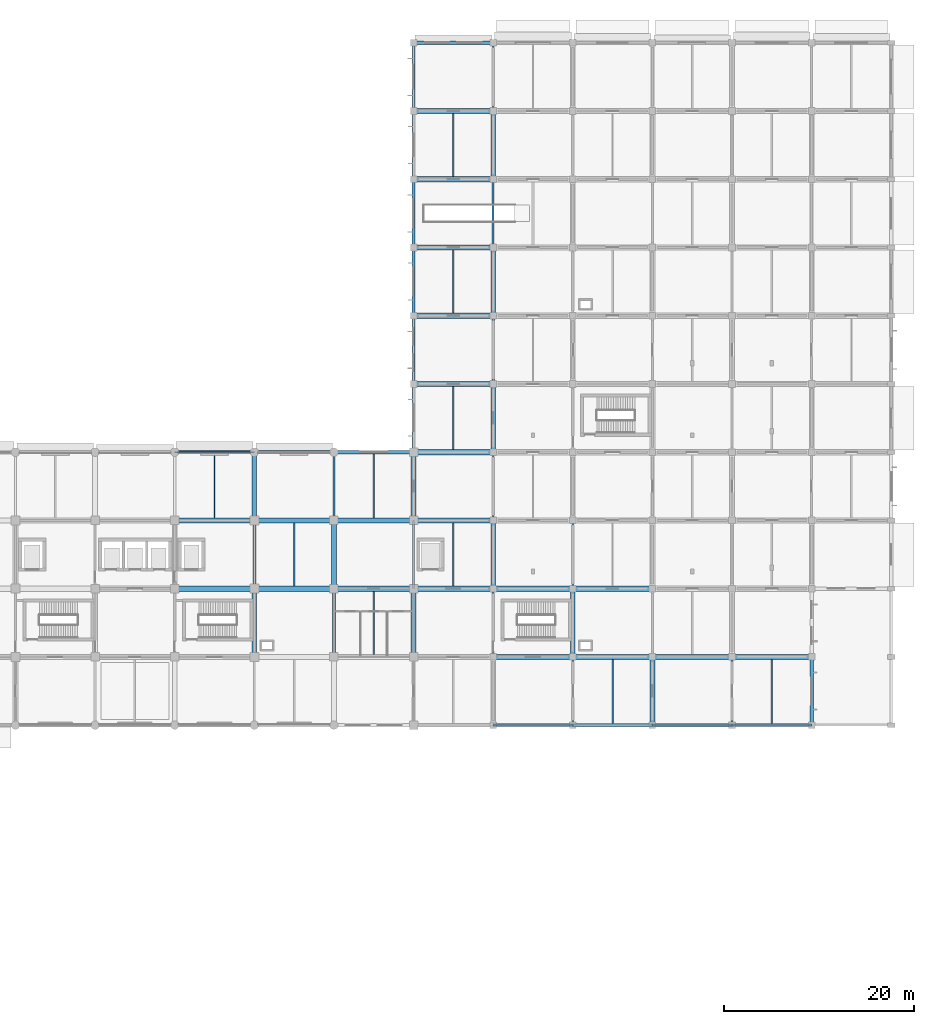
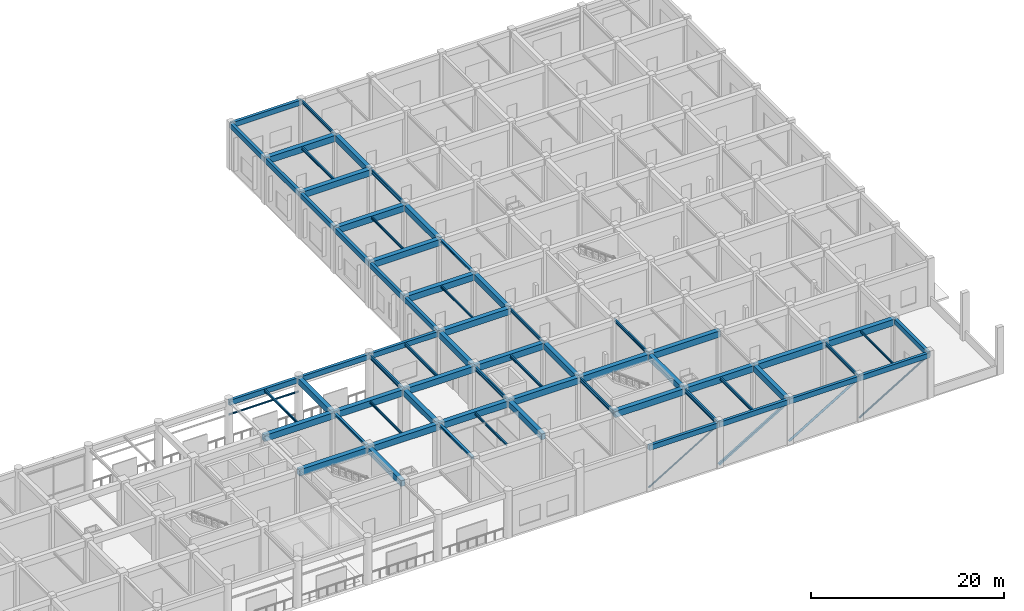
# One storey, part 8 of 39: 69 beams, 4 members.
"""IFC4 building model written with IfcOpenShell, lengths in metres."""

from ifc_helpers import new_model, si_unit, derived_unit, direction, frame, origin, origin_2d, place, context, subcontext, project, spatial, rectangle, hollow_rectangle, hollow_circle, i_section, extrude, material, material_profile, profile_set, type_object, element, save


model = new_model("IFC4")

# Units and contexts
model_context = context("Model", 3, precision=1e-05, world=origin(), true_north=direction((0.0, 1.0)))
body_context = subcontext(model_context, "Body", "Model", "MODEL_VIEW")
ifc_project = project(units=[si_unit("LENGTHUNIT", "METRE"), si_unit("AREAUNIT", "SQUARE_METRE"), si_unit("VOLUMEUNIT", "CUBIC_METRE"), si_unit("PLANEANGLEUNIT", "RADIAN"), si_unit("MASSUNIT", "GRAM", prefix="KILO"), derived_unit("THERMALTRANSMITTANCEUNIT", [(si_unit("MASSUNIT", "GRAM", prefix="KILO"), 1), (si_unit("TIMEUNIT", "SECOND"), -3), (si_unit("THERMODYNAMICTEMPERATUREUNIT", "KELVIN"), -1)])], contexts=[model_context])

# Site, building, storey
site_placement = place(None, origin())
site = spatial("IfcSite", under=ifc_project, at=site_placement, CompositionType="ELEMENT")
building_placement = place(site_placement, origin())
building = spatial("IfcBuilding", under=site, at=building_placement, Name="Veldstrom Oceanarium and Marine Research Institute", CompositionType="ELEMENT")
storey_placement = place(building_placement, origin())
storey = spatial("IfcBuildingStorey", under=building, at=storey_placement, Name="L00", CompositionType="ELEMENT", Elevation=0.0)

# Beams
ifc_material_1 = material(Name="Concrete C40/50", Category="concrete")
ifc_material_profile_1 = material_profile(ifc_material_1, rectangle(XDim=0.550048828125, YDim=0.800048828125, at=origin_2d()), Name="RC-BM-550x800")
ifc_profile_set_1 = profile_set([ifc_material_profile_1], Name="Concrete C40/50")
beam_type_1 = type_object("IfcBeamType", Name="STR-BM-B02", PredefinedType="BEAM", material=ifc_profile_set_1)
for number, where, z_axis, x_axis, name in (
    (1, (92.39990234375, 57.60009765625, 5.27001953125), (1.0, 0.0, 0.0), (0.0, 1.0, 0.0), "Primary Beam B02 L00-0814"),
    (2, (92.39990234375, 64.800048828125, 5.27001953125), (1.0, 0.0, 0.0), (0.0, 1.0, 0.0), "Primary Beam B02 L00-0815"),
):
    element("IfcBeam", number, at=place(storey_placement, frame(where, z_axis=z_axis, x_axis=x_axis)), inside=storey, type_object=beam_type_1, Name=name, PredefinedType="BEAM", context=body_context, shape_type="SweptSolid", body=[
        extrude(rectangle(XDim=0.550048828125, YDim=0.800048828125, at=origin_2d()), origin(), (0.0, 0.0, 1.0), 8.400146484375),
    ])
for number, where, z_axis, x_axis, name in (
    (3, (100.800048828125, 57.60009765625, 5.27001953125), (1.0, 0.0, 0.0), (0.0, 1.0, 0.0), "Primary Beam B02 L00-0819"),
    (4, (100.800048828125, 64.800048828125, 5.27001953125), (1.0, 0.0, 0.0), (0.0, 1.0, 0.0), "Primary Beam B02 L00-0820"),
):
    element("IfcBeam", number, at=place(storey_placement, frame(where, z_axis=z_axis, x_axis=x_axis)), inside=storey, type_object=beam_type_1, Name=name, PredefinedType="BEAM", context=body_context, shape_type="SweptSolid", body=[
        extrude(rectangle(XDim=0.550048828125, YDim=0.800048828125, at=origin_2d()), origin(), (0.0, 0.0, 1.0), 8.39990234375),
    ])
for number, where, z_axis, x_axis, name in (
    (5, (109.199951171875, 57.60009765625, 5.27001953125), (1.0, 0.0, 0.0), (0.0, 1.0, 0.0), "Primary Beam B02 L00-0824"),
    (6, (109.199951171875, 64.800048828125, 5.27001953125), (1.0, 0.0, 0.0), (0.0, 1.0, 0.0), "Primary Beam B02 L00-0825"),
):
    element("IfcBeam", number, at=place(storey_placement, frame(where, z_axis=z_axis, x_axis=x_axis)), inside=storey, type_object=beam_type_1, Name=name, PredefinedType="BEAM", context=body_context, shape_type="SweptSolid", body=[
        extrude(rectangle(XDim=0.550048828125, YDim=0.800048828125, at=origin_2d()), origin(), (0.0, 0.0, 1.0), 8.400146484375),
    ])
for number, where, z_axis, x_axis, name in (
    (7, (117.60009765625, 57.60009765625, 5.27001953125), (1.0, 0.0, 0.0), (0.0, 1.0, 0.0), "Primary Beam B02 L00-0829"),
    (8, (117.60009765625, 64.800048828125, 5.27001953125), (1.0, 0.0, 0.0), (0.0, 1.0, 0.0), "Primary Beam B02 L00-0830"),
    (9, (117.60009765625, 72.0, 5.27001953125), (1.0, 0.0, 0.0), (0.0, 1.0, 0.0), "Primary Beam B02 L00-0831"),
    (10, (117.60009765625, 79.199951171875, 5.27001953125), (1.0, 0.0, 0.0), (0.0, 1.0, 0.0), "Primary Beam B02 L00-0832"),
    (11, (117.60009765625, 86.39990234375, 5.27001953125), (1.0, 0.0, 0.0), (0.0, 1.0, 0.0), "Primary Beam B02 L00-0833"),
    (12, (117.60009765625, 93.60009765625, 5.27001953125), (1.0, 0.0, 0.0), (0.0, 1.0, 0.0), "Primary Beam B02 L00-0834"),
    (13, (117.60009765625, 100.800048828125, 5.3701171875), (1.0, 0.0, 0.0), (0.0, 1.0, 0.0), "Primary Beam B02 L00-0835"),
    (14, (117.60009765625, 108.0, 5.3701171875), (1.0, 0.0, 0.0), (0.0, 1.0, 0.0), "Primary Beam B02 L00-0836"),
    (15, (126.0, 50.39990234375, 5.27001953125), (1.0, 0.0, 0.0), (0.0, 1.0, 0.0), "Primary Beam B02 L00-0839"),
    (16, (126.0, 57.60009765625, 5.27001953125), (1.0, 0.0, 0.0), (0.0, 1.0, 0.0), "Primary Beam B02 L00-0840"),
):
    element("IfcBeam", number, at=place(storey_placement, frame(where, z_axis=z_axis, x_axis=x_axis)), inside=storey, type_object=beam_type_1, Name=name, PredefinedType="BEAM", context=body_context, shape_type="SweptSolid", body=[
        extrude(rectangle(XDim=0.550048828125, YDim=0.800048828125, at=origin_2d()), origin(), (0.0, 0.0, 1.0), 8.39990234375),
    ])
for number, where, z_axis, x_axis, name in (
    (17, (134.39990234375, 50.39990234375, 5.27001953125), (1.0, 0.0, 0.0), (0.0, 1.0, 0.0), "Primary Beam B02 L00-0850"),
    (18, (134.39990234375, 57.60009765625, 5.27001953125), (1.0, 0.0, 0.0), (0.0, 1.0, 0.0), "Primary Beam B02 L00-0851"),
):
    element("IfcBeam", number, at=place(storey_placement, frame(where, z_axis=z_axis, x_axis=x_axis)), inside=storey, type_object=beam_type_1, Name=name, PredefinedType="BEAM", context=body_context, shape_type="SweptSolid", body=[
        extrude(rectangle(XDim=0.550048828125, YDim=0.800048828125, at=origin_2d()), origin(), (0.0, 0.0, 1.0), 8.400146484375),
    ])
beam_1_placement = place(storey_placement, frame((142.800048828125, 50.39990234375, 5.27001953125), z_axis=(1.0, 0.0, 0.0), x_axis=(0.0, 1.0, 0.0)))
element("IfcBeam", 19, at=beam_1_placement, inside=storey, type_object=beam_type_1, Name="Primary Beam B02 L00-0861", PredefinedType="BEAM", context=body_context, shape_type="SweptSolid", body=[
    extrude(rectangle(XDim=0.550048828125, YDim=0.800048828125, at=origin_2d()), origin(), (0.0, 0.0, 1.0), 8.39990234375),
])
beam_2_placement = place(storey_placement, frame((151.199951171875, 50.39990234375, 5.27001953125), z_axis=(1.0, 0.0, 0.0), x_axis=(0.0, 1.0, 0.0)))
element("IfcBeam", 20, at=beam_2_placement, inside=storey, type_object=beam_type_1, Name="Primary Beam B02 L00-0872", PredefinedType="BEAM", context=body_context, shape_type="SweptSolid", body=[
    extrude(rectangle(XDim=0.550048828125, YDim=0.800048828125, at=origin_2d()), origin(), (0.0, 0.0, 1.0), 8.400146484375),
])
ifc_material_2 = material(Name="Concrete C40/50", Category="concrete")
ifc_material_profile_2 = material_profile(ifc_material_2, rectangle(XDim=0.5, YDim=0.75, at=origin_2d()), Name="RC-BM-500x750")
ifc_profile_set_2 = profile_set([ifc_material_profile_2], Name="Concrete C40/50")
beam_type_2 = type_object("IfcBeamType", Name="STR-BM-B03", PredefinedType="BEAM", material=ifc_profile_set_2)
beam_3_placement = place(storey_placement, frame((100.800048828125, 50.39990234375, 5.294921875), z_axis=(0.0, 1.0, 0.0), x_axis=(-1.0, 0.0, 0.0)))
element("IfcBeam", 21, at=beam_3_placement, inside=storey, type_object=beam_type_2, Name="Primary Beam B03 L00-0988", PredefinedType="BEAM", context=body_context, shape_type="SweptSolid", body=[
    extrude(rectangle(XDim=0.5, YDim=0.75, at=origin_2d()), origin(), (0.0, 0.0, 1.0), 7.2001953125),
])
for number, where, z_axis, x_axis, name in (
    (22, (100.800048828125, 64.800048828125, 5.294921875), (0.0, 1.0, 0.0), (-1.0, 0.0, 0.0), "Primary Beam B03 L00-0990"),
    (23, (109.199951171875, 57.60009765625, 5.294921875), (0.0, 1.0, 0.0), (-1.0, 0.0, 0.0), "Primary Beam B03 L00-0993"),
):
    element("IfcBeam", number, at=place(storey_placement, frame(where, z_axis=z_axis, x_axis=x_axis)), inside=storey, type_object=beam_type_2, Name=name, PredefinedType="BEAM", context=body_context, shape_type="SweptSolid", body=[
        extrude(rectangle(XDim=0.5, YDim=0.75, at=origin_2d()), origin(), (0.0, 0.0, 1.0), 7.199951171875),
    ])
beam_4_placement = place(storey_placement, frame((117.60009765625, 50.39990234375, 5.294921875), z_axis=(0.0, 1.0, 0.0), x_axis=(-1.0, 0.0, 0.0)))
element("IfcBeam", 24, at=beam_4_placement, inside=storey, type_object=beam_type_2, Name="Primary Beam B03 L00-0996", PredefinedType="BEAM", context=body_context, shape_type="SweptSolid", body=[
    extrude(rectangle(XDim=0.5, YDim=0.75, at=origin_2d()), origin(), (0.0, 0.0, 1.0), 7.2001953125),
])
for number, where, z_axis, x_axis, name in (
    (25, (117.60009765625, 64.800048828125, 5.294921875), (0.0, 1.0, 0.0), (-1.0, 0.0, 0.0), "Primary Beam B03 L00-0998"),
    (26, (126.0, 57.60009765625, 5.294921875), (0.0, 1.0, 0.0), (-1.0, 0.0, 0.0), "Primary Beam B03 L00-1007"),
    (27, (126.0, 72.0, 5.294921875), (0.0, 1.0, 0.0), (-1.0, 0.0, 0.0), "Primary Beam B03 L00-1009"),
):
    element("IfcBeam", number, at=place(storey_placement, frame(where, z_axis=z_axis, x_axis=x_axis)), inside=storey, type_object=beam_type_2, Name=name, PredefinedType="BEAM", context=body_context, shape_type="SweptSolid", body=[
        extrude(rectangle(XDim=0.5, YDim=0.75, at=origin_2d()), origin(), (0.0, 0.0, 1.0), 7.199951171875),
    ])
beam_5_placement = place(storey_placement, frame((126.0, 86.39990234375, 5.294921875), z_axis=(0.0, 1.0, 0.0), x_axis=(-1.0, 0.0, 0.0)))
element("IfcBeam", 28, at=beam_5_placement, inside=storey, type_object=beam_type_2, Name="Primary Beam B03 L00-1011", PredefinedType="BEAM", context=body_context, shape_type="SweptSolid", body=[
    extrude(rectangle(XDim=0.5, YDim=0.75, at=origin_2d()), origin(), (0.0, 0.0, 1.0), 7.2001953125),
])
beam_6_placement = place(storey_placement, frame((126.0, 100.800048828125, 5.39501953125), z_axis=(0.0, 1.0, 0.0), x_axis=(-1.0, 0.0, 0.0)))
element("IfcBeam", 29, at=beam_6_placement, inside=storey, type_object=beam_type_2, Name="Primary Beam B03 L00-1013", PredefinedType="BEAM", context=body_context, shape_type="SweptSolid", body=[
    extrude(rectangle(XDim=0.5, YDim=0.75, at=origin_2d()), origin(), (0.0, 0.0, 1.0), 7.199951171875),
])
beam_7_placement = place(storey_placement, frame((134.39990234375, 50.39990234375, 5.294921875), z_axis=(0.0, 1.0, 0.0), x_axis=(-1.0, 0.0, 0.0)))
element("IfcBeam", 30, at=beam_7_placement, inside=storey, type_object=beam_type_2, Name="Primary Beam B03 L00-1016", PredefinedType="BEAM", context=body_context, shape_type="SweptSolid", body=[
    extrude(rectangle(XDim=0.5, YDim=0.75, at=origin_2d()), origin(), (0.0, 0.0, 1.0), 7.2001953125),
])
beam_8_placement = place(storey_placement, frame((142.800048828125, 43.199951171875, 5.294921875), z_axis=(0.0, 1.0, 0.0), x_axis=(-1.0, 0.0, 0.0)))
element("IfcBeam", 31, at=beam_8_placement, inside=storey, type_object=beam_type_2, Name="Primary Beam B03 L00-1025", PredefinedType="BEAM", context=body_context, shape_type="SweptSolid", body=[
    extrude(rectangle(XDim=0.5, YDim=0.75, at=origin_2d()), origin(), (0.0, 0.0, 1.0), 7.199951171875),
])
ifc_material_3 = material(Name="Steel S355JR", Category="steel")
ifc_material_profile_3 = material_profile(ifc_material_3, i_section(OverallWidth=0.300048828125, OverallDepth=0.2900390625, WebThickness=0.008544921875, FlangeThickness=0.013916015625, FilletRadius=0.027099609375, at=origin_2d()), Name="HEA 300")
ifc_profile_set_3 = profile_set([ifc_material_profile_3], Name="Steel S355JR")
beam_type_3 = type_object("IfcBeamType", Name="STR-BM-SB10", PredefinedType="BEAM", material=ifc_profile_set_3)
beam_9_placement = place(storey_placement, frame((100.800048828125, 57.60009765625, 5.52490234375), z_axis=(0.0, 1.0, 0.0), x_axis=(-1.0, 0.0, 0.0)))
element("IfcBeam", 32, at=beam_9_placement, inside=storey, type_object=beam_type_3, Name="Steel Tie Beam SB10 L00-0989", PredefinedType="BEAM", context=body_context, shape_type="SweptSolid", body=[
    extrude(i_section(OverallWidth=0.300048828125, OverallDepth=0.2900390625, WebThickness=0.008544921875, FlangeThickness=0.013916015625, FilletRadius=0.027099609375, at=origin_2d()), origin(), (0.0, 0.0, 1.0), 7.199951171875),
])
beam_10_placement = place(storey_placement, frame((109.199951171875, 50.39990234375, 5.52490234375), z_axis=(0.0, 1.0, 0.0), x_axis=(-1.0, 0.0, 0.0)))
element("IfcBeam", 33, at=beam_10_placement, inside=storey, type_object=beam_type_3, Name="Steel Tie Beam SB10 L00-0992", PredefinedType="BEAM", context=body_context, shape_type="SweptSolid", body=[
    extrude(i_section(OverallWidth=0.300048828125, OverallDepth=0.2900390625, WebThickness=0.008544921875, FlangeThickness=0.013916015625, FilletRadius=0.027099609375, at=origin_2d()), origin(), (0.0, 0.0, 1.0), 7.2001953125),
])
beam_11_placement = place(storey_placement, frame((126.0, 79.199951171875, 5.52490234375), z_axis=(0.0, 1.0, 0.0), x_axis=(-1.0, 0.0, 0.0)))
element("IfcBeam", 34, at=beam_11_placement, inside=storey, type_object=beam_type_3, Name="Steel Tie Beam SB10 L00-1010", PredefinedType="BEAM", context=body_context, shape_type="SweptSolid", body=[
    extrude(i_section(OverallWidth=0.300048828125, OverallDepth=0.2900390625, WebThickness=0.008544921875, FlangeThickness=0.013916015625, FilletRadius=0.027099609375, at=origin_2d()), origin(), (0.0, 0.0, 1.0), 7.199951171875),
])
ifc_material_4 = material(Name="Steel S355JR", Category="steel")
ifc_material_profile_4 = material_profile(ifc_material_4, i_section(OverallWidth=0.199951171875, OverallDepth=0.5, WebThickness=0.01025390625, FlangeThickness=0.01611328125, FilletRadius=0.02099609375, at=origin_2d()), Name="IPE 500")
ifc_profile_set_4 = profile_set([ifc_material_profile_4], Name="Steel S355JR")
beam_type_4 = type_object("IfcBeamType", Name="STR-BM-SB6", PredefinedType="BEAM", material=ifc_profile_set_4)
for number, where, z_axis, x_axis, name in (
    (35, (109.199951171875, 64.800048828125, 5.419921875), (0.0, 1.0, 0.0), (-1.0, 0.0, 0.0), "Steel Tie Beam SB6 L00-0994"),
    (36, (117.60009765625, 57.60009765625, 5.419921875), (0.0, 1.0, 0.0), (-1.0, 0.0, 0.0), "Steel Tie Beam SB6 L00-0997"),
):
    element("IfcBeam", number, at=place(storey_placement, frame(where, z_axis=z_axis, x_axis=x_axis)), inside=storey, type_object=beam_type_4, Name=name, PredefinedType="BEAM", context=body_context, shape_type="SweptSolid", body=[
        extrude(i_section(OverallWidth=0.199951171875, OverallDepth=0.5, WebThickness=0.01025390625, FlangeThickness=0.01611328125, FilletRadius=0.02099609375, at=origin_2d()), origin(), (0.0, 0.0, 1.0), 7.199951171875),
    ])
beam_12_placement = place(storey_placement, frame((126.0, 50.39990234375, 5.419921875), z_axis=(0.0, 1.0, 0.0), x_axis=(-1.0, 0.0, 0.0)))
element("IfcBeam", 37, at=beam_12_placement, inside=storey, type_object=beam_type_4, Name="Steel Tie Beam SB6 L00-1006", PredefinedType="BEAM", context=body_context, shape_type="SweptSolid", body=[
    extrude(i_section(OverallWidth=0.199951171875, OverallDepth=0.5, WebThickness=0.01025390625, FlangeThickness=0.01611328125, FilletRadius=0.02099609375, at=origin_2d()), origin(), (0.0, 0.0, 1.0), 7.2001953125),
])
for number, where, z_axis, x_axis, name in (
    (38, (126.0, 93.60009765625, 5.52001953125), (0.0, 1.0, 0.0), (-1.0, 0.0, 0.0), "Steel Tie Beam SB6 L00-1012"),
    (39, (134.39990234375, 43.199951171875, 5.419921875), (0.0, 1.0, 0.0), (-1.0, 0.0, 0.0), "Steel Tie Beam SB6 L00-1015"),
):
    element("IfcBeam", number, at=place(storey_placement, frame(where, z_axis=z_axis, x_axis=x_axis)), inside=storey, type_object=beam_type_4, Name=name, PredefinedType="BEAM", context=body_context, shape_type="SweptSolid", body=[
        extrude(i_section(OverallWidth=0.199951171875, OverallDepth=0.5, WebThickness=0.01025390625, FlangeThickness=0.01611328125, FilletRadius=0.02099609375, at=origin_2d()), origin(), (0.0, 0.0, 1.0), 7.199951171875),
    ])
ifc_material_5 = material(Name="Steel S355JR", Category="steel")
ifc_material_profile_5 = material_profile(ifc_material_5, i_section(OverallWidth=0.179931640625, OverallDepth=0.39990234375, WebThickness=0.008544921875, FlangeThickness=0.013427734375, FilletRadius=0.02099609375, at=origin_2d()), Name="IPE 400")
ifc_profile_set_5 = profile_set([ifc_material_profile_5], Name="Steel S355JR")
beam_type_5 = type_object("IfcBeamType", Name="STR-BM-SB8", PredefinedType="BEAM", material=ifc_profile_set_5)
for number, where, z_axis, x_axis, name in (
    (40, (126.0, 64.800048828125, 5.469970703125), (0.0, 1.0, 0.0), (-1.0, 0.0, 0.0), "Steel Tie Beam SB8 L00-1008"),
    (41, (126.0, 108.0, 5.570068359375), (0.0, 1.0, 0.0), (-1.0, 0.0, 0.0), "Steel Tie Beam SB8 L00-1014"),
    (42, (134.39990234375, 57.60009765625, 5.469970703125), (0.0, 1.0, 0.0), (-1.0, 0.0, 0.0), "Steel Tie Beam SB8 L00-1017"),
    (43, (151.199951171875, 43.199951171875, 5.469970703125), (0.0, 1.0, 0.0), (-1.0, 0.0, 0.0), "Steel Tie Beam SB8 L00-1035"),
):
    element("IfcBeam", number, at=place(storey_placement, frame(where, z_axis=z_axis, x_axis=x_axis)), inside=storey, type_object=beam_type_5, Name=name, PredefinedType="BEAM", context=body_context, shape_type="SweptSolid", body=[
        extrude(i_section(OverallWidth=0.179931640625, OverallDepth=0.39990234375, WebThickness=0.008544921875, FlangeThickness=0.013427734375, FilletRadius=0.02099609375, at=origin_2d()), origin(), (0.0, 0.0, 1.0), 7.199951171875),
    ])
ifc_material_6 = material(Name="Steel S355JR", Category="steel")
ifc_material_profile_6 = material_profile(ifc_material_6, i_section(OverallWidth=0.169921875, OverallDepth=0.360107421875, WebThickness=0.008056640625, FlangeThickness=0.0126953125, FilletRadius=0.01806640625, at=origin_2d()), Name="IPE 360")
ifc_profile_set_6 = profile_set([ifc_material_profile_6], Name="Steel S355JR")
beam_type_6 = type_object("IfcBeamType", Name="STR-JST-SJ1", PredefinedType="JOIST", material=ifc_profile_set_6)
beam_13_placement = place(storey_placement, frame((113.39990234375, 65.074951171875, 5.489990234375), z_axis=(0.0, 1.0, 0.0), x_axis=(-1.0, 0.0, 0.0)))
element("IfcBeam", 44, at=beam_13_placement, inside=storey, type_object=beam_type_6, Name="Secondary Joist SJ1 L00-1104", PredefinedType="JOIST", context=body_context, shape_type="SweptSolid", body=[
    extrude(i_section(OverallWidth=0.169921875, OverallDepth=0.360107421875, WebThickness=0.008056640625, FlangeThickness=0.0126953125, FilletRadius=0.01806640625, at=origin_2d()), origin(), (0.0, 0.0, 1.0), 6.75),
])
beam_14_placement = place(storey_placement, frame((121.800048828125, 57.875, 5.489990234375), z_axis=(0.0, 1.0, 0.0), x_axis=(-1.0, 0.0, 0.0)))
element("IfcBeam", 45, at=beam_14_placement, inside=storey, type_object=beam_type_6, Name="Secondary Joist SJ1 L00-1106", PredefinedType="JOIST", context=body_context, shape_type="SweptSolid", body=[
    extrude(i_section(OverallWidth=0.169921875, OverallDepth=0.360107421875, WebThickness=0.008056640625, FlangeThickness=0.0126953125, FilletRadius=0.01806640625, at=origin_2d()), origin(), (0.0, 0.0, 1.0), 6.64990234375),
])
beam_15_placement = place(storey_placement, frame((121.800048828125, 101.074951171875, 5.590087890625), z_axis=(0.0, 1.0, 0.0), x_axis=(-1.0, 0.0, 0.0)))
element("IfcBeam", 46, at=beam_15_placement, inside=storey, type_object=beam_type_6, Name="Secondary Joist SJ1 L00-1109", PredefinedType="JOIST", context=body_context, shape_type="SweptSolid", body=[
    extrude(i_section(OverallWidth=0.169921875, OverallDepth=0.360107421875, WebThickness=0.008056640625, FlangeThickness=0.0126953125, FilletRadius=0.01806640625, at=origin_2d()), origin(), (0.0, 0.0, 1.0), 6.650146484375),
])
beam_16_placement = place(storey_placement, frame((138.60009765625, 43.375, 5.489990234375), z_axis=(0.0, 1.0, 0.0), x_axis=(-1.0, 0.0, 0.0)))
element("IfcBeam", 47, at=beam_16_placement, inside=storey, type_object=beam_type_6, Name="Secondary Joist SJ1 L00-1114", PredefinedType="JOIST", context=body_context, shape_type="SweptSolid", body=[
    extrude(i_section(OverallWidth=0.169921875, OverallDepth=0.360107421875, WebThickness=0.008056640625, FlangeThickness=0.0126953125, FilletRadius=0.01806640625, at=origin_2d()), origin(), (0.0, 0.0, 1.0), 6.75),
])
ifc_material_7 = material(Name="Steel S355JR", Category="steel")
ifc_material_profile_7 = material_profile(ifc_material_7, i_section(OverallWidth=0.14990234375, OverallDepth=0.300048828125, WebThickness=0.007080078125, FlangeThickness=0.0107421875, FilletRadius=0.014892578125, at=origin_2d()), Name="IPE 300")
ifc_profile_set_7 = profile_set([ifc_material_profile_7], Name="Steel S355JR")
beam_type_7 = type_object("IfcBeamType", Name="STR-JST-SJ2", PredefinedType="JOIST", material=ifc_profile_set_7)
beam_17_placement = place(storey_placement, frame((96.60009765625, 65.074951171875, 5.52001953125), z_axis=(0.0, 1.0, 0.0), x_axis=(-1.0, 0.0, 0.0)))
element("IfcBeam", 48, at=beam_17_placement, inside=storey, type_object=beam_type_7, Name="Secondary Joist SJ2 L00-1100", PredefinedType="JOIST", context=body_context, shape_type="SweptSolid", body=[
    extrude(i_section(OverallWidth=0.14990234375, OverallDepth=0.300048828125, WebThickness=0.007080078125, FlangeThickness=0.0107421875, FilletRadius=0.014892578125, at=origin_2d()), origin(), (0.0, 0.0, 1.0), 6.75),
])
for number, where, z_axis, x_axis, name in (
    (49, (105.0, 57.875, 5.52001953125), (0.0, 1.0, 0.0), (-1.0, 0.0, 0.0), "Secondary Joist SJ2 L00-1102"),
    (50, (113.39990234375, 50.675048828125, 5.52001953125), (0.0, 1.0, 0.0), (-1.0, 0.0, 0.0), "Secondary Joist SJ2 L00-1103"),
    (51, (121.800048828125, 86.675048828125, 5.52001953125), (0.0, 1.0, 0.0), (-1.0, 0.0, 0.0), "Secondary Joist SJ2 L00-1108"),
):
    element("IfcBeam", number, at=place(storey_placement, frame(where, z_axis=z_axis, x_axis=x_axis)), inside=storey, type_object=beam_type_7, Name=name, PredefinedType="JOIST", context=body_context, shape_type="SweptSolid", body=[
        extrude(i_section(OverallWidth=0.14990234375, OverallDepth=0.300048828125, WebThickness=0.007080078125, FlangeThickness=0.0107421875, FilletRadius=0.014892578125, at=origin_2d()), origin(), (0.0, 0.0, 1.0), 6.64990234375),
    ])
ifc_material_8 = material(Name="Steel S355JR", Category="steel")
ifc_material_profile_8 = material_profile(ifc_material_8, i_section(OverallWidth=0.135009765625, OverallDepth=0.27001953125, WebThickness=0.006591796875, FlangeThickness=0.01025390625, FilletRadius=0.014892578125, at=origin_2d()), Name="IPE 270")
ifc_profile_set_8 = profile_set([ifc_material_profile_8], Name="Steel S355JR")
beam_type_8 = type_object("IfcBeamType", Name="STR-JST-SJ3", PredefinedType="JOIST", material=ifc_profile_set_8)
beam_18_placement = place(storey_placement, frame((121.800048828125, 72.27490234375, 5.534912109375), z_axis=(0.0, 1.0, 0.0), x_axis=(-1.0, 0.0, 0.0)))
element("IfcBeam", 52, at=beam_18_placement, inside=storey, type_object=beam_type_8, Name="Secondary Joist SJ3 L00-1107", PredefinedType="JOIST", context=body_context, shape_type="SweptSolid", body=[
    extrude(i_section(OverallWidth=0.135009765625, OverallDepth=0.27001953125, WebThickness=0.006591796875, FlangeThickness=0.01025390625, FilletRadius=0.014892578125, at=origin_2d()), origin(), (0.0, 0.0, 1.0), 6.650146484375),
])
beam_19_placement = place(storey_placement, frame((155.39990234375, 43.375, 5.534912109375), z_axis=(0.0, 1.0, 0.0), x_axis=(-1.0, 0.0, 0.0)))
element("IfcBeam", 53, at=beam_19_placement, inside=storey, type_object=beam_type_8, Name="Secondary Joist SJ3 L00-1123", PredefinedType="JOIST", context=body_context, shape_type="SweptSolid", body=[
    extrude(i_section(OverallWidth=0.135009765625, OverallDepth=0.27001953125, WebThickness=0.006591796875, FlangeThickness=0.01025390625, FilletRadius=0.014892578125, at=origin_2d()), origin(), (0.0, 0.0, 1.0), 6.75),
])
ifc_material_9 = material(Name="Steel S355JR", Category="steel")
ifc_material_profile_9 = material_profile(ifc_material_9, i_section(OverallWidth=0.10009765625, OverallDepth=0.199951171875, WebThickness=0.005615234375, FlangeThickness=0.008544921875, FilletRadius=0.011962890625, at=origin_2d()), Name="IPE 200")
ifc_profile_set_9 = profile_set([ifc_material_profile_9], Name="Steel S355JR")
beam_type_9 = type_object("IfcBeamType", Name="STR-LNT-LN3", PredefinedType="LINTEL", material=ifc_profile_set_9)
beam_20_placement = place(storey_placement, frame((92.39990234375, 72.0, 3.800048828125), z_axis=(1.0, 0.0, 0.0), x_axis=(0.0, 1.0, 0.0)))
element("IfcBeam", 54, at=beam_20_placement, inside=storey, type_object=beam_type_9, Name="Portal Lintel LN3-10", PredefinedType="LINTEL", context=body_context, shape_type="SweptSolid", body=[
    extrude(i_section(OverallWidth=0.10009765625, OverallDepth=0.199951171875, WebThickness=0.005615234375, FlangeThickness=0.008544921875, FilletRadius=0.011962890625, at=origin_2d()), origin(), (0.0, 0.0, 1.0), 8.400146484375),
])

# Members
ifc_material_10 = material(Name="Steel S355JR", Category="steel")
ifc_material_profile_10 = material_profile(ifc_material_10, hollow_circle(Radius=0.109619140625, WallThickness=0.012451171875, at=origin_2d()), Name="CHS 219.1x12.5")
ifc_profile_set_10 = profile_set([ifc_material_profile_10], Name="Steel S355JR")
member_type_1 = type_object("IfcMemberType", Name="STR-MEM-BR1", PredefinedType="BRACE", material=ifc_profile_set_10)
member_1_placement = place(storey_placement, frame((151.199951171875, 43.199951171875, 0.25), z_axis=(0.855921735273, 0.0, 0.517105388762), x_axis=(0.0, 1.0, 0.0)))
element("IfcMember", 55, at=member_1_placement, inside=storey, type_object=member_type_1, Name="Party-Wall Lateral Brace LB-L00-0606", PredefinedType="BRACE", context=body_context, shape_type="SweptSolid", body=[
    extrude(hollow_circle(Radius=0.109619140625, WallThickness=0.012451171875, at=origin_2d()), origin(), (0.0, 0.0, 1.0), 9.814208984375),
])
ifc_material_11 = material(Name="Steel S355JR", Category="steel")
ifc_material_profile_11 = material_profile(ifc_material_11, hollow_circle(Radius=0.096923828125, WallThickness=0.010009765625, at=origin_2d()), Name="CHS 193.7x10")
ifc_profile_set_11 = profile_set([ifc_material_profile_11], Name="Steel S355JR")
member_type_2 = type_object("IfcMemberType", Name="STR-MEM-BR2", PredefinedType="BRACE", material=ifc_profile_set_11)
member_2_placement = place(storey_placement, frame((126.0, 43.199951171875, 0.25), z_axis=(0.855915083166, 0.0, 0.517116399284), x_axis=(0.0, 1.0, 0.0)))
element("IfcMember", 56, at=member_2_placement, inside=storey, type_object=member_type_2, Name="Party-Wall Lateral Brace LB-L00-0603", PredefinedType="BRACE", context=body_context, shape_type="SweptSolid", body=[
    extrude(hollow_circle(Radius=0.096923828125, WallThickness=0.010009765625, at=origin_2d()), origin(), (0.0, 0.0, 1.0), 9.81396484375),
])
ifc_material_12 = material(Name="Steel S355JR", Category="steel")
ifc_material_profile_12 = material_profile(ifc_material_12, hollow_rectangle(XDim=0.25, YDim=0.25, WallThickness=0.012451171875, at=origin_2d()), Name="SHS 250x250x12.5")
ifc_profile_set_12 = profile_set([ifc_material_profile_12], Name="Steel S355JR")
member_type_3 = type_object("IfcMemberType", Name="STR-MEM-CH1", PredefinedType="CHORD", material=ifc_profile_set_12)
member_3_placement = place(storey_placement, frame((134.39990234375, 43.199951171875, 0.25), z_axis=(0.855921735273, 0.0, 0.517105388762), x_axis=(0.0, 1.0, 0.0)))
element("IfcMember", 57, at=member_3_placement, inside=storey, type_object=member_type_3, Name="Party-Wall Lateral Brace LB-L00-0604", PredefinedType="CHORD", context=body_context, shape_type="SweptSolid", body=[
    extrude(hollow_rectangle(XDim=0.25, YDim=0.25, WallThickness=0.012451171875, at=origin_2d()), origin(), (0.0, 0.0, 1.0), 9.814208984375),
])
ifc_material_13 = material(Name="Steel S355JR", Category="steel")
ifc_material_profile_13 = material_profile(ifc_material_13, hollow_circle(Radius=0.136474609375, WallThickness=0.012451171875, at=origin_2d()), Name="CHS 273x12.5")
ifc_profile_set_13 = profile_set([ifc_material_profile_13], Name="Steel S355JR")
member_type_4 = type_object("IfcMemberType", Name="STR-MEM-CH3", PredefinedType="CHORD", material=ifc_profile_set_13)
member_4_placement = place(storey_placement, frame((142.800048828125, 43.199951171875, 0.25), z_axis=(0.855915083166, 0.0, 0.517116399284), x_axis=(0.0, 1.0, 0.0)))
element("IfcMember", 58, at=member_4_placement, inside=storey, type_object=member_type_4, Name="Party-Wall Lateral Brace LB-L00-0605", PredefinedType="CHORD", context=body_context, shape_type="SweptSolid", body=[
    extrude(hollow_circle(Radius=0.136474609375, WallThickness=0.012451171875, at=origin_2d()), origin(), (0.0, 0.0, 1.0), 9.81396484375),
])

# Beams
ifc_material_14 = material(Name="Concrete C40/50", Category="concrete")
ifc_material_profile_14 = material_profile(ifc_material_14, rectangle(XDim=0.35009765625, YDim=0.64990234375, at=origin_2d()), Name="RC-SPN-350x650")
ifc_profile_set_14 = profile_set([ifc_material_profile_14], Name="Concrete C40/50")
beam_type_10 = type_object("IfcBeamType", Name="STR-SPN-SP1", PredefinedType="SPANDREL", material=ifc_profile_set_14)
beam_21_placement = place(storey_placement, frame((92.39990234375, 72.0, 5.344970703125), z_axis=(1.0, 0.0, 0.0), x_axis=(0.0, 1.0, 0.0)))
element("IfcBeam", 59, at=beam_21_placement, inside=storey, type_object=beam_type_10, Name="Perimeter Spandrel SPB1 L00-0816", PredefinedType="SPANDREL", context=body_context, shape_type="SweptSolid", body=[
    extrude(rectangle(XDim=0.35009765625, YDim=0.64990234375, at=origin_2d()), origin(), (0.0, 0.0, 1.0), 8.400146484375),
])
beam_22_placement = place(storey_placement, frame((100.800048828125, 72.0, 5.344970703125), z_axis=(1.0, 0.0, 0.0), x_axis=(0.0, 1.0, 0.0)))
element("IfcBeam", 60, at=beam_22_placement, inside=storey, type_object=beam_type_10, Name="Perimeter Spandrel SPB1 L00-0821", PredefinedType="SPANDREL", context=body_context, shape_type="SweptSolid", body=[
    extrude(rectangle(XDim=0.35009765625, YDim=0.64990234375, at=origin_2d()), origin(), (0.0, 0.0, 1.0), 8.39990234375),
])
beam_23_placement = place(storey_placement, frame((109.199951171875, 72.0, 5.344970703125), z_axis=(1.0, 0.0, 0.0), x_axis=(0.0, 1.0, 0.0)))
element("IfcBeam", 61, at=beam_23_placement, inside=storey, type_object=beam_type_10, Name="Perimeter Spandrel SPB1 L00-0826", PredefinedType="SPANDREL", context=body_context, shape_type="SweptSolid", body=[
    extrude(rectangle(XDim=0.35009765625, YDim=0.64990234375, at=origin_2d()), origin(), (0.0, 0.0, 1.0), 8.400146484375),
])
for number, where, z_axis, x_axis, name in (
    (62, (117.60009765625, 115.199951171875, 5.445068359375), (1.0, 0.0, 0.0), (0.0, 1.0, 0.0), "Perimeter Spandrel SPB1 L00-0837"),
    (63, (126.0, 43.199951171875, 5.344970703125), (1.0, 0.0, 0.0), (0.0, 1.0, 0.0), "Perimeter Spandrel SPB1 L00-0838"),
):
    element("IfcBeam", number, at=place(storey_placement, frame(where, z_axis=z_axis, x_axis=x_axis)), inside=storey, type_object=beam_type_10, Name=name, PredefinedType="SPANDREL", context=body_context, shape_type="SweptSolid", body=[
        extrude(rectangle(XDim=0.35009765625, YDim=0.64990234375, at=origin_2d()), origin(), (0.0, 0.0, 1.0), 8.39990234375),
    ])
beam_24_placement = place(storey_placement, frame((134.39990234375, 43.199951171875, 5.344970703125), z_axis=(1.0, 0.0, 0.0), x_axis=(0.0, 1.0, 0.0)))
element("IfcBeam", 64, at=beam_24_placement, inside=storey, type_object=beam_type_10, Name="Perimeter Spandrel SPB1 L00-0849", PredefinedType="SPANDREL", context=body_context, shape_type="SweptSolid", body=[
    extrude(rectangle(XDim=0.35009765625, YDim=0.64990234375, at=origin_2d()), origin(), (0.0, 0.0, 1.0), 8.400146484375),
])
beam_25_placement = place(storey_placement, frame((142.800048828125, 43.199951171875, 5.344970703125), z_axis=(1.0, 0.0, 0.0), x_axis=(0.0, 1.0, 0.0)))
element("IfcBeam", 65, at=beam_25_placement, inside=storey, type_object=beam_type_10, Name="Perimeter Spandrel SPB1 L00-0860", PredefinedType="SPANDREL", context=body_context, shape_type="SweptSolid", body=[
    extrude(rectangle(XDim=0.35009765625, YDim=0.64990234375, at=origin_2d()), origin(), (0.0, 0.0, 1.0), 8.39990234375),
])
beam_26_placement = place(storey_placement, frame((151.199951171875, 43.199951171875, 5.344970703125), z_axis=(1.0, 0.0, 0.0), x_axis=(0.0, 1.0, 0.0)))
element("IfcBeam", 66, at=beam_26_placement, inside=storey, type_object=beam_type_10, Name="Perimeter Spandrel SPB1 L00-0871", PredefinedType="SPANDREL", context=body_context, shape_type="SweptSolid", body=[
    extrude(rectangle(XDim=0.35009765625, YDim=0.64990234375, at=origin_2d()), origin(), (0.0, 0.0, 1.0), 8.400146484375),
])
for number, where, z_axis, x_axis, name in (
    (67, (117.60009765625, 72.0, 5.344970703125), (0.0, 1.0, 0.0), (-1.0, 0.0, 0.0), "Perimeter Spandrel SPB1 L00-0999"),
    (68, (117.60009765625, 79.199951171875, 5.344970703125), (0.0, 1.0, 0.0), (-1.0, 0.0, 0.0), "Perimeter Spandrel SPB1 L00-1000"),
):
    element("IfcBeam", number, at=place(storey_placement, frame(where, z_axis=z_axis, x_axis=x_axis)), inside=storey, type_object=beam_type_10, Name=name, PredefinedType="SPANDREL", context=body_context, shape_type="SweptSolid", body=[
        extrude(rectangle(XDim=0.35009765625, YDim=0.64990234375, at=origin_2d()), origin(), (0.0, 0.0, 1.0), 7.199951171875),
    ])
beam_27_placement = place(storey_placement, frame((117.60009765625, 86.39990234375, 5.344970703125), z_axis=(0.0, 1.0, 0.0), x_axis=(-1.0, 0.0, 0.0)))
element("IfcBeam", 69, at=beam_27_placement, inside=storey, type_object=beam_type_10, Name="Perimeter Spandrel SPB1 L00-1001", PredefinedType="SPANDREL", context=body_context, shape_type="SweptSolid", body=[
    extrude(rectangle(XDim=0.35009765625, YDim=0.64990234375, at=origin_2d()), origin(), (0.0, 0.0, 1.0), 7.2001953125),
])
for number, where, z_axis, x_axis, name in (
    (70, (117.60009765625, 93.60009765625, 5.445068359375), (0.0, 1.0, 0.0), (-1.0, 0.0, 0.0), "Perimeter Spandrel SPB1 L00-1002"),
    (71, (117.60009765625, 100.800048828125, 5.445068359375), (0.0, 1.0, 0.0), (-1.0, 0.0, 0.0), "Perimeter Spandrel SPB1 L00-1003"),
    (72, (117.60009765625, 108.0, 5.445068359375), (0.0, 1.0, 0.0), (-1.0, 0.0, 0.0), "Perimeter Spandrel SPB1 L00-1004"),
    (73, (159.60009765625, 43.199951171875, 5.344970703125), (0.0, 1.0, 0.0), (-1.0, 0.0, 0.0), "Perimeter Spandrel SPB1 L00-1045"),
):
    element("IfcBeam", number, at=place(storey_placement, frame(where, z_axis=z_axis, x_axis=x_axis)), inside=storey, type_object=beam_type_10, Name=name, PredefinedType="SPANDREL", context=body_context, shape_type="SweptSolid", body=[
        extrude(rectangle(XDim=0.35009765625, YDim=0.64990234375, at=origin_2d()), origin(), (0.0, 0.0, 1.0), 7.199951171875),
    ])

save(model, "model.ifc")
